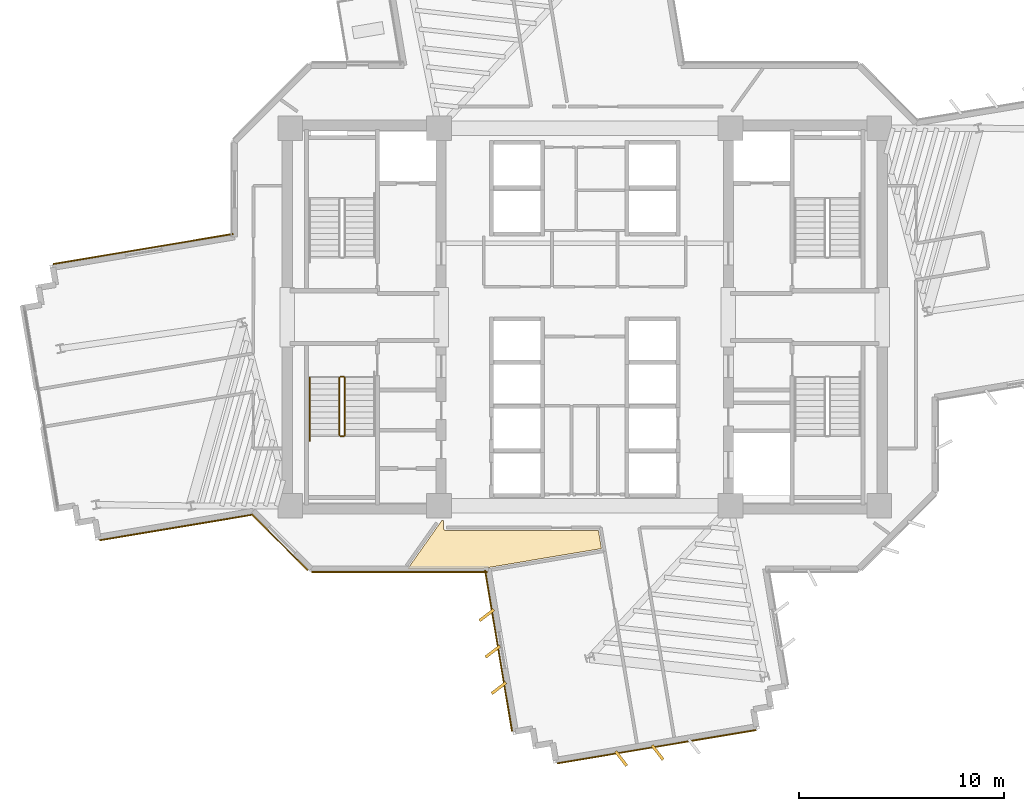
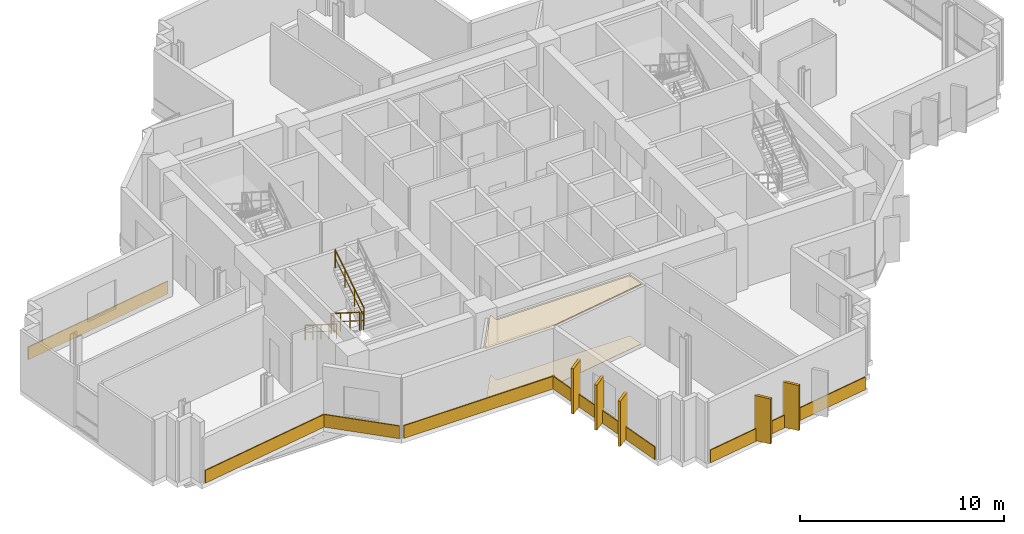
# One storey, part 12 of 15: 13 coverings, 5 railings.
"""IFC4 building model written with IfcOpenShell, lengths in metres."""

from ifc_helpers import new_model, si_unit, direction, frame, origin, origin_2d, place, context, subcontext, project, spatial, polyline, rectangle, outline, extrude, source, transform, mapped, material, layer, layer_set, type_object, element, save


model = new_model("IFC4")

# Units and contexts
model_context = context("Model", 3, precision=1e-05, world=origin(), true_north=direction((0.0, 1.0)))
body_context = subcontext(model_context, "Body", "Model", "MODEL_VIEW")
ifc_project = project(units=[si_unit("LENGTHUNIT", "METRE"), si_unit("AREAUNIT", "SQUARE_METRE"), si_unit("VOLUMEUNIT", "CUBIC_METRE"), si_unit("PLANEANGLEUNIT", "RADIAN"), si_unit("MASSUNIT", "GRAM", prefix="KILO")], contexts=[model_context])

# Site, building, storey
site_placement = place(None, origin())
site = spatial("IfcSite", under=ifc_project, at=site_placement, CompositionType="ELEMENT")
building_placement = place(site_placement, origin())
building = spatial("IfcBuilding", under=site, at=building_placement, Name="Zahravan Cultural Tower", CompositionType="ELEMENT")
storey_placement = place(building_placement, frame((0.0, 0.0, 135.60009765625)))
storey = spatial("IfcBuildingStorey", under=building, at=storey_placement, Name="L30", CompositionType="ELEMENT", Elevation=135.60009765625)

# Coverings
ifc_material_1 = material(Name="Acoustic mineral fibreboard")
ifc_layer_1 = layer(ifc_material_1, 0.0400390625)
ifc_layer_set_1 = layer_set([ifc_layer_1], Name="Acoustic mineral fibreboard")
covering_type_1 = type_object("IfcCoveringType", Name="COV-CEIL-AC20", PredefinedType="CEILING", material=ifc_layer_set_1)
covering_1_placement = place(storey_placement, frame((0.0, 0.0, 3.579833984375)))
element("IfcCovering", 1, at=covering_1_placement, inside=storey, type_object=covering_type_1, Name="L30 Acoustic Suspended Ceiling", PredefinedType="CEILING", context=body_context, shape_type="SweptSolid", body=[
    extrude(outline(polyline([(27.39453125, 14.760009765625), (31.079345703125, 14.760009765625), (36.81298828125, 15.719482421875), (36.66552734375, 16.60009765625), (29.22607421875, 16.600341796875), (29.1474609375, 16.637451171875), (29.1103515625, 16.716064453125), (29.110107421875, 17.10009765625), (29.047119140625, 17.10009765625), (27.39453125, 14.760009765625)])), origin(), (0.0, 0.0, 1.0), 0.0400390625),
])
ifc_material_2 = material(Name="Terrazzo flooring")
ifc_layer_2 = layer(ifc_material_2, 0.02490234375)
ifc_layer_set_2 = layer_set([ifc_layer_2], Name="Terrazzo flooring")
covering_type_2 = type_object("IfcCoveringType", Name="COV-FLR-TZ25", PredefinedType="FLOORING", material=ifc_layer_set_2)
covering_2_placement = place(storey_placement, origin())
element("IfcCovering", 2, at=covering_2_placement, inside=storey, type_object=covering_type_2, Name="L30 Polished Terrazzo Flooring", PredefinedType="FLOORING", context=body_context, shape_type="SweptSolid", body=[
    extrude(outline(polyline([(27.39453125, 14.760009765625), (31.079345703125, 14.760009765625), (36.81298828125, 15.719482421875), (36.66552734375, 16.60009765625), (29.22607421875, 16.600341796875), (29.1474609375, 16.637451171875), (29.1103515625, 16.716064453125), (29.110107421875, 17.10009765625), (29.047119140625, 17.10009765625), (27.39453125, 14.760009765625)])), origin(), (0.0, 0.0, 1.0), 0.02490234375),
])

# Railings
ifc_material_3 = material(Name="Steel ASTM A572 Grade 50", Category="steel")
railing_type_1 = type_object("IfcRailingType", Name="RL-STAIR-GRD1150", PredefinedType="BALUSTRADE", material=ifc_material_3)
railing_1_placement = place(storey_placement, frame((24.050048828125, 24.050048828125, 0.17724609375)))
element("IfcRailing", 3, at=railing_1_placement, inside=storey, type_object=railing_type_1, Name="L30 ST-W2 stair guard 1", PredefinedType="BALUSTRADE", context=body_context, shape_type="SweptSolid", body=[
    extrude(rectangle(XDim=0.05, YDim=0.05, at=origin_2d()), frame((0.0, 0.0, 1.0751953125), z_axis=(0.0, -0.844908973607, 0.534910110503), x_axis=(1.0, 0.0, 0.0)), (0.0, 0.0, 1.0), 3.31396484375),
    extrude(rectangle(XDim=0.032, YDim=0.032, at=origin_2d()), frame((0.0, 0.0, 0.572021484375), z_axis=(0.0, -0.844908973607, 0.534910110503), x_axis=(1.0, 0.0, 0.0)), (0.0, 0.0, 1.0), 3.31396484375),
    extrude(rectangle(XDim=0.04, YDim=0.04, at=origin_2d()), origin(), (0.0, 0.0, 1.0), 1.10009765625),
    extrude(rectangle(XDim=0.04, YDim=0.04, at=origin_2d()), frame((0.0, -0.933349609375, 0.5908203125)), (0.0, 0.0, 1.0), 1.10009765625),
    extrude(rectangle(XDim=0.04, YDim=0.04, at=origin_2d()), frame((0.0, -1.86669921875, 1.181884765625)), (0.0, 0.0, 1.0), 1.10009765625),
    extrude(rectangle(XDim=0.04, YDim=0.04, at=origin_2d()), frame((0.0, -2.800048828125, 1.772705078125)), (0.0, 0.0, 1.0), 1.10009765625),
])
railing_2_placement = place(storey_placement, frame((24.10009765625, 21.199951171875, 1.949951171875)))
element("IfcRailing", 4, at=railing_2_placement, inside=storey, type_object=railing_type_1, Name="L30 ST-W2 stair guard 2", PredefinedType="BALUSTRADE", context=body_context, shape_type="SweptSolid", body=[
    extrude(rectangle(XDim=0.05, YDim=0.05, at=origin_2d()), frame((0.0, 0.0, 1.0751953125), z_axis=(1.0, 0.0, 0.0), x_axis=(0.0, 1.0, 0.0)), (0.0, 0.0, 1.0), 0.14990234375),
    extrude(rectangle(XDim=0.032, YDim=0.032, at=origin_2d()), frame((0.0, 0.0, 0.572021484375), z_axis=(1.0, 0.0, 0.0), x_axis=(0.0, 1.0, 0.0)), (0.0, 0.0, 1.0), 0.14990234375),
    extrude(rectangle(XDim=0.04, YDim=0.04, at=origin_2d()), origin(), (0.0, 0.0, 1.0), 1.10009765625),
    extrude(rectangle(XDim=0.04, YDim=0.04, at=origin_2d()), frame((0.14990234375, 0.0, 0.0)), (0.0, 0.0, 1.0), 1.10009765625),
])
railing_3_placement = place(storey_placement, frame((24.300048828125, 21.25, 2.127197265625)))
element("IfcRailing", 5, at=railing_3_placement, inside=storey, type_object=railing_type_1, Name="L30 ST-W2 stair guard 3", PredefinedType="BALUSTRADE", context=body_context, shape_type="SweptSolid", body=[
    extrude(rectangle(XDim=0.05, YDim=0.05, at=origin_2d()), frame((0.0, 0.0, 1.0751953125), z_axis=(0.0, 0.844908973607, 0.534910110503), x_axis=(-1.0, 0.0, 0.0)), (0.0, 0.0, 1.0), 3.31396484375),
    extrude(rectangle(XDim=0.032, YDim=0.032, at=origin_2d()), frame((0.0, 0.0, 0.572021484375), z_axis=(0.0, 0.844908973607, 0.534910110503), x_axis=(-1.0, 0.0, 0.0)), (0.0, 0.0, 1.0), 3.31396484375),
    extrude(rectangle(XDim=0.04, YDim=0.04, at=origin_2d()), origin(), (0.0, 0.0, 1.0), 1.10009765625),
    extrude(rectangle(XDim=0.04, YDim=0.04, at=origin_2d()), frame((0.0, 0.933349609375, 0.5908203125)), (0.0, 0.0, 1.0), 1.10009765625),
    extrude(rectangle(XDim=0.04, YDim=0.04, at=origin_2d()), frame((0.0, 1.86669921875, 1.181884765625)), (0.0, 0.0, 1.0), 1.10009765625),
    extrude(rectangle(XDim=0.04, YDim=0.04, at=origin_2d()), frame((0.0, 2.800048828125, 1.772705078125)), (0.0, 0.0, 1.0), 1.10009765625),
])
railing_4_placement = place(storey_placement, frame((24.10009765625, 24.10009765625, 0.0)))
element("IfcRailing", 6, at=railing_4_placement, inside=storey, type_object=railing_type_1, Name="L30 ST-W2 stair guard 4", PredefinedType="BALUSTRADE", context=body_context, shape_type="SweptSolid", body=[
    extrude(rectangle(XDim=0.05, YDim=0.05, at=origin_2d()), frame((0.0, 0.0, 1.0751953125), z_axis=(1.0, 0.0, 0.0), x_axis=(0.0, 1.0, 0.0)), (0.0, 0.0, 1.0), 0.14990234375),
    extrude(rectangle(XDim=0.032, YDim=0.032, at=origin_2d()), frame((0.0, 0.0, 0.572021484375), z_axis=(1.0, 0.0, 0.0), x_axis=(0.0, 1.0, 0.0)), (0.0, 0.0, 1.0), 0.14990234375),
    extrude(rectangle(XDim=0.04, YDim=0.04, at=origin_2d()), origin(), (0.0, 0.0, 1.0), 1.10009765625),
    extrude(rectangle(XDim=0.04, YDim=0.04, at=origin_2d()), frame((0.14990234375, 0.0, 0.0)), (0.0, 0.0, 1.0), 1.10009765625),
])
railing_type_2 = type_object("IfcRailingType", Name="RL-STAIR-HR900", PredefinedType="HANDRAIL", material=ifc_material_3)
railing_5_placement = place(storey_placement, frame((22.60009765625, 24.050048828125, 0.17724609375)))
element("IfcRailing", 7, at=railing_5_placement, inside=storey, type_object=railing_type_2, Name="L30 ST-W2 stair handrail 1", PredefinedType="HANDRAIL", context=body_context, shape_type="SweptSolid", body=[
    extrude(rectangle(XDim=0.05, YDim=0.05, at=origin_2d()), frame((0.0, 0.0, 0.875), z_axis=(0.0, -0.844913916606, 0.534902302785), x_axis=(1.0, 0.0, 0.0)), (0.0, 0.0, 1.0), 3.6455078125),
    extrude(rectangle(XDim=0.032, YDim=0.032, at=origin_2d()), frame((0.0, 0.0, 0.468017578125), z_axis=(0.0, -0.844913916606, 0.534902302785), x_axis=(1.0, 0.0, 0.0)), (0.0, 0.0, 1.0), 3.6455078125),
    extrude(rectangle(XDim=0.04, YDim=0.04, at=origin_2d()), origin(), (0.0, 0.0, 1.0), 0.89990234375),
    extrude(rectangle(XDim=0.04, YDim=0.04, at=origin_2d()), frame((0.0, -0.77001953125, 0.487548828125)), (0.0, 0.0, 1.0), 0.89990234375),
    extrude(rectangle(XDim=0.04, YDim=0.04, at=origin_2d()), frame((0.0, -1.5400390625, 0.97509765625)), (0.0, 0.0, 1.0), 0.89990234375),
    extrude(rectangle(XDim=0.04, YDim=0.04, at=origin_2d()), frame((0.0, -2.31005859375, 1.46240234375)), (0.0, 0.0, 1.0), 0.89990234375),
    extrude(rectangle(XDim=0.04, YDim=0.04, at=origin_2d()), frame((0.0, -3.080078125, 1.949951171875)), (0.0, 0.0, 1.0), 0.89990234375),
])

# Coverings
ifc_material_4 = material(Name="Terracotta ceramic cladding", Category="masonry")
ifc_layer_3 = layer(ifc_material_4, 0.06005859375)
ifc_layer_set_3 = layer_set([ifc_layer_3], Name="Terracotta ceramic cladding")
covering_type_3 = type_object("IfcCoveringType", Name="COV-CLAD-TC60", PredefinedType="CLADDING", material=ifc_layer_set_3)
shared_shape_1 = source(origin(), body_context, "Body", "SweptSolid", [
    extrude(rectangle(XDim=9.820068359375, YDim=0.06005859375, at=origin_2d()), origin(), (0.0, 0.0, 1.0), 0.760009765625),
])
covering_3_placement = place(storey_placement, frame((39.503173828125, 6.066162109375, 0.02001953125), z_axis=(0.0, 0.0, 1.0), x_axis=(-0.986285601537, -0.165047605861, 0.0)))
element("IfcCovering", 8, at=covering_3_placement, inside=storey, type_object=covering_type_3, Name="L30 Terracotta Spandrel Cladding 19", PredefinedType="CLADDING", context=body_context, shape_type="MappedRepresentation", body=[
    mapped(shared_shape_1, transform((0.0, 0.0, 0.0), x_axis=(1.0, 0.0, 0.0), y_axis=(0.0, 1.0, 0.0), z_axis=(0.0, 0.0, 1.0), scale=1.0)),
])
shared_shape_2 = source(origin(), body_context, "Body", "SweptSolid", [
    extrude(rectangle(XDim=7.573486328125, YDim=0.06005859375, at=origin_2d()), origin(), (0.0, 0.0, 1.0), 0.760009765625),
])
covering_4_placement = place(storey_placement, frame((16.095703125, 16.749267578125, 0.02001953125), z_axis=(0.0, 0.0, 1.0), x_axis=(-0.986285601537, -0.165047605861, 0.0)))
element("IfcCovering", 9, at=covering_4_placement, inside=storey, type_object=covering_type_3, Name="L30 Terracotta Spandrel Cladding 27", PredefinedType="CLADDING", context=body_context, shape_type="MappedRepresentation", body=[
    mapped(shared_shape_2, transform((0.0, 0.0, 0.0), x_axis=(1.0, 0.0, 0.0), y_axis=(0.0, 1.0, 0.0), z_axis=(0.0, 0.0, 1.0), scale=1.0)),
])
shared_shape_3 = source(origin(), body_context, "Body", "SweptSolid", [
    extrude(rectangle(XDim=0.8798828125, YDim=0.139892578125, at=origin_2d()), origin(), (0.0, 0.0, 1.0), 2.699951171875),
])
for number, where, z_axis, x_axis, name in (
    (10, (39.55029296875, 5.784912109375, 0.0498046875), (0.0, 0.0, 1.0), (0.608761429009, -0.793353340291, 0.0), "L30 Herringbone Terracotta Fin 14"),
    (11, (37.77490234375, 5.48779296875, 0.0498046875), (0.0, 0.0, 1.0), (0.608761429009, -0.793353340291, 0.0), "L30 Herringbone Terracotta Fin 15"),
    (12, (31.816162109375, 8.923583984375, 0.0498046875), (0.0, 0.0, 1.0), (-0.793353340291, -0.608761429009, 0.0), "L30 Herringbone Terracotta Fin 16"),
    (13, (31.51904296875, 10.698974609375, 0.0498046875), (0.0, 0.0, 1.0), (-0.793353340291, -0.608761429009, 0.0), "L30 Herringbone Terracotta Fin 17"),
    (14, (31.221923828125, 12.47412109375, 0.0498046875), (0.0, 0.0, 1.0), (-0.793353340291, -0.608761429009, 0.0), "L30 Herringbone Terracotta Fin 18"),
):
    element("IfcCovering", number, at=place(storey_placement, frame(where, z_axis=z_axis, x_axis=x_axis)), inside=storey, type_object=covering_type_3, Name=name, PredefinedType="CLADDING", context=body_context, shape_type="MappedRepresentation", body=[
        mapped(shared_shape_3, transform((0.0, 0.0, 0.0), x_axis=(1.0, 0.0, 0.0), y_axis=(0.0, 1.0, 0.0), z_axis=(0.0, 0.0, 1.0), scale=1.0)),
    ])
shared_shape_4 = source(origin(), body_context, "Body", "SweptSolid", [
    extrude(rectangle(XDim=8.877197265625, YDim=0.06005859375, at=origin_2d()), origin(), (0.0, 0.0, 1.0), 0.760009765625),
])
covering_5_placement = place(storey_placement, frame((14.485595703125, 30.319580078125, 0.02001953125), z_axis=(0.0, 0.0, 1.0), x_axis=(0.986285601537, 0.165047605861, 0.0)))
element("IfcCovering", 15, at=covering_5_placement, inside=storey, type_object=covering_type_3, Name="L30 Terracotta Spandrel Cladding 36", PredefinedType="CLADDING", context=body_context, shape_type="MappedRepresentation", body=[
    mapped(shared_shape_4, transform((0.0, 0.0, 0.0), x_axis=(1.0, 0.0, 0.0), y_axis=(0.0, 1.0, 0.0), z_axis=(0.0, 0.0, 1.0), scale=1.0)),
])
shared_shape_5 = source(origin(), body_context, "Body", "SweptSolid", [
    extrude(rectangle(XDim=7.944091796875, YDim=0.06005859375, at=origin_2d()), origin(), (0.0, 0.0, 1.0), 0.760009765625),
])
covering_6_placement = place(storey_placement, frame((31.800048828125, 10.745849609375, 0.02001953125), z_axis=(0.0, 0.0, 1.0), x_axis=(-0.165047605861, 0.986285601537, 0.0)))
element("IfcCovering", 16, at=covering_6_placement, inside=storey, type_object=covering_type_3, Name="L30 Terracotta Spandrel Cladding 24", PredefinedType="CLADDING", context=body_context, shape_type="MappedRepresentation", body=[
    mapped(shared_shape_5, transform((0.0, 0.0, 0.0), x_axis=(1.0, 0.0, 0.0), y_axis=(0.0, 1.0, 0.0), z_axis=(0.0, 0.0, 1.0), scale=1.0)),
])
shared_shape_6 = source(origin(), body_context, "Body", "SweptSolid", [
    extrude(rectangle(XDim=8.541015625, YDim=0.06005859375, at=origin_2d()), origin(), (0.0, 0.0, 1.0), 0.760009765625),
])
covering_7_placement = place(storey_placement, frame((26.978515625, 14.574951171875, 0.02001953125), z_axis=(0.0, 0.0, 1.0), x_axis=(-1.0, 0.0, 0.0)))
element("IfcCovering", 17, at=covering_7_placement, inside=storey, type_object=covering_type_3, Name="L30 Terracotta Spandrel Cladding 25", PredefinedType="CLADDING", context=body_context, shape_type="MappedRepresentation", body=[
    mapped(shared_shape_6, transform((0.0, 0.0, 0.0), x_axis=(1.0, 0.0, 0.0), y_axis=(0.0, 1.0, 0.0), z_axis=(0.0, 0.0, 1.0), scale=1.0)),
])
shared_shape_7 = source(origin(), body_context, "Body", "SweptSolid", [
    extrude(rectangle(XDim=3.8671875, YDim=0.06005859375, at=origin_2d()), origin(), (0.0, 0.0, 1.0), 0.760009765625),
])
covering_8_placement = place(storey_placement, frame((21.138671875, 16.02587890625, 0.02001953125), z_axis=(0.0, 0.0, 1.0), x_axis=(-0.707106781187, 0.707106781187, 0.0)))
element("IfcCovering", 18, at=covering_8_placement, inside=storey, type_object=covering_type_3, Name="L30 Terracotta Spandrel Cladding 26", PredefinedType="CLADDING", context=body_context, shape_type="MappedRepresentation", body=[
    mapped(shared_shape_7, transform((0.0, 0.0, 0.0), x_axis=(1.0, 0.0, 0.0), y_axis=(0.0, 1.0, 0.0), z_axis=(0.0, 0.0, 1.0), scale=1.0)),
])

save(model, "model.ifc")
